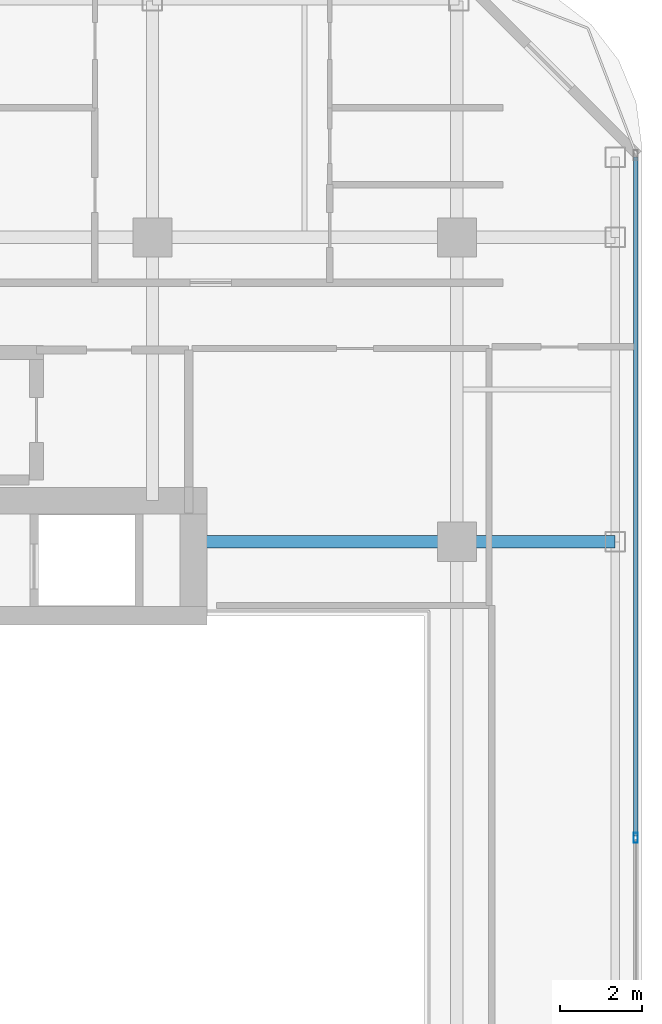
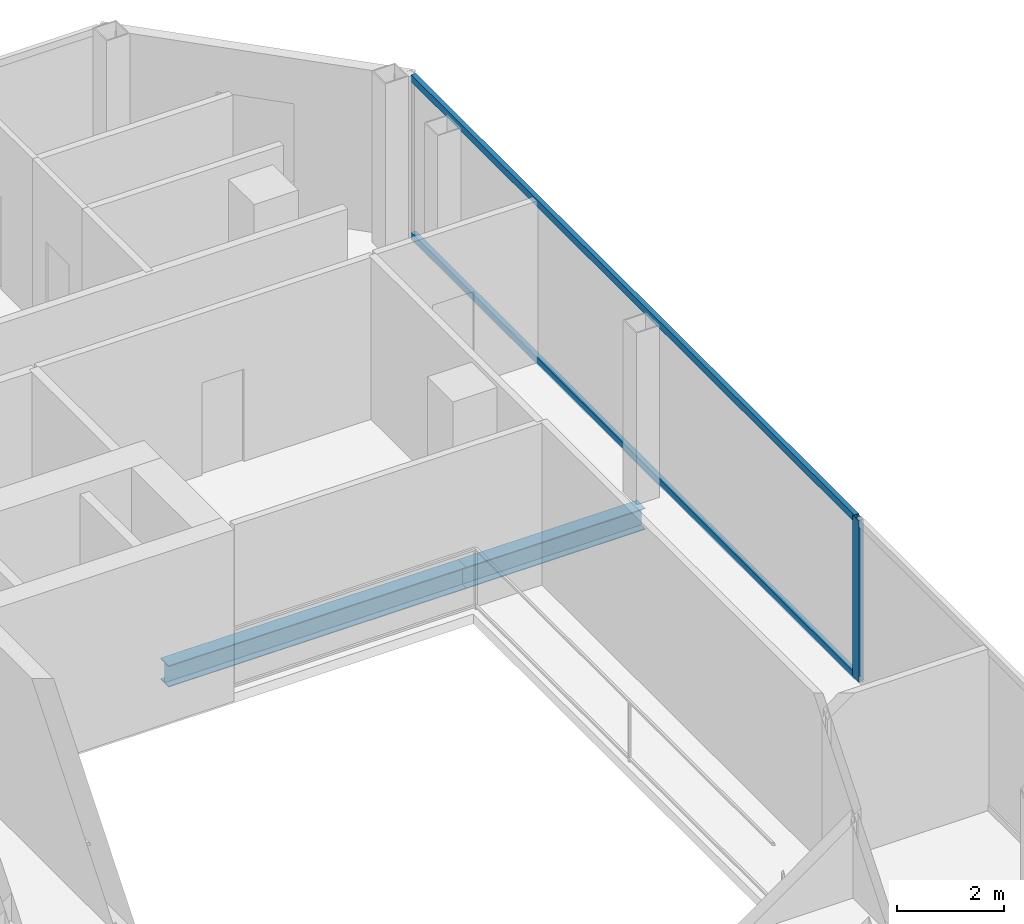
# One storey, part 10 of 23: 3 members, 2 beams, 1 element without a shape of its own.
"""IFC4 building model written with IfcOpenShell, lengths in metres."""

from ifc_helpers import new_model, si_unit, direction, frame, origin, origin_2d, place, context, subcontext, project, spatial, hollow_rectangle, i_section, extrude, material, layer, layer_set, material_profile, profile_set, type_object, element, aggregate, save


model = new_model("IFC4")

# Units and contexts
model_context = context("Model", 3, precision=1e-05, world=origin(), true_north=direction((0.0, 1.0)))
body_context = subcontext(model_context, "Body", "Model", "MODEL_VIEW")
ifc_project = project(units=[si_unit("LENGTHUNIT", "METRE"), si_unit("AREAUNIT", "SQUARE_METRE"), si_unit("VOLUMEUNIT", "CUBIC_METRE"), si_unit("PLANEANGLEUNIT", "RADIAN"), si_unit("MASSUNIT", "GRAM", prefix="KILO")], contexts=[model_context])

# Site, building, storey
site_placement = place(None, origin())
site = spatial("IfcSite", under=ifc_project, at=site_placement, CompositionType="ELEMENT")
building_placement = place(site_placement, origin())
building = spatial("IfcBuilding", under=site, at=building_placement, Name="Khorvyn Point Tower", CompositionType="ELEMENT")
storey_placement = place(building_placement, frame((0.0, 0.0, 297.60009765625)))
storey = spatial("IfcBuildingStorey", under=building, at=storey_placement, Name="L73", CompositionType="ELEMENT", Elevation=297.60009765625)

# Curtain wall, members
ifc_material_1 = material(Name="Anodised aluminium 6063-T6 and laminated Low-E glass", Category="aluminium")
ifc_layer = layer(ifc_material_1, 0.18994140625)
ifc_layer_set = layer_set([ifc_layer], Name="Stick-Built High-Wind Curtain Wall CW-SYS-04")
curtain_wall_type = type_object("IfcCurtainWallType", Name="Stick-Built High-Wind Curtain Wall CW-SYS-04", PredefinedType="NOTDEFINED", material=ifc_layer_set)
curtain_wall_placement = place(storey_placement, origin())
curtain_wall = element("IfcCurtainWall", 1, at=curtain_wall_placement, inside=storey, type_object=curtain_wall_type, Name="Curtain Wall", PredefinedType="NOTDEFINED")
ifc_material_2 = material(Name="Anodised aluminium 6063-T6", Category="aluminium")
ifc_material_profile_1 = material_profile(ifc_material_2, hollow_rectangle(XDim=0.10009765625, YDim=0.239990234375, WallThickness=0.0048828125, at=origin_2d()))
ifc_profile_set_1 = profile_set([ifc_material_profile_1], Name="Anodised aluminium 6063-T6 ALU-MUL-100x240")
member_type_1 = type_object("IfcMemberType", Name="Anodised Aluminium 6063-T6 Mullion ALU-MUL-100x240", PredefinedType="MULLION", material=ifc_profile_set_1)
member_1_placement = place(storey_placement, frame((19.14990234375, 0.199951171875, 0.0), z_axis=(0.0, 0.0, 1.0), x_axis=(1.0, 0.0, 0.0)))
member_1 = element("IfcMember", 2, at=member_1_placement, type_object=member_type_1, Name="Transom", PredefinedType="MULLION", context=body_context, shape_type="SweptSolid", body=[
    extrude(hollow_rectangle(XDim=0.10009765625, YDim=0.239990234375, WallThickness=0.0048828125, at=origin_2d()), origin(), (0.0, 0.0, 1.0), 3.679931640625),
])
ifc_material_profile_2 = material_profile(ifc_material_2, hollow_rectangle(XDim=0.10009765625, YDim=0.159912109375, WallThickness=0.00439453125, at=origin_2d()))
ifc_profile_set_2 = profile_set([ifc_material_profile_2], Name="Anodised aluminium 6063-T6 ALU-TRN-100x160")
member_type_2 = type_object("IfcMemberType", Name="Anodised Aluminium 6063-T6 Transom ALU-TRN-100x160", PredefinedType="USERDEFINED", material=ifc_profile_set_2)
member_2_placement = place(storey_placement, frame((19.14990234375, 16.75, 0.0498046875), z_axis=(0.0, -1.0, 0.0), x_axis=(1.0, 0.0, 0.0)))
member_2 = element("IfcMember", 3, at=member_2_placement, type_object=member_type_2, Name="Transom", ObjectType="TRANSOM", PredefinedType="USERDEFINED", context=body_context, shape_type="SweptSolid", body=[
    extrude(hollow_rectangle(XDim=0.10009765625, YDim=0.159912109375, WallThickness=0.00439453125, at=origin_2d()), origin(), (0.0, 0.0, 1.0), 16.5),
])
member_3_placement = place(storey_placement, frame((19.14990234375, 16.75, 3.6298828125), z_axis=(0.0, -1.0, 0.0), x_axis=(1.0, 0.0, 0.0)))
member_3 = element("IfcMember", 4, at=member_3_placement, type_object=member_type_2, Name="Transom", ObjectType="TRANSOM", PredefinedType="USERDEFINED", context=body_context, shape_type="SweptSolid", body=[
    extrude(hollow_rectangle(XDim=0.10009765625, YDim=0.159912109375, WallThickness=0.00439453125, at=origin_2d()), origin(), (0.0, 0.0, 1.0), 16.5),
])
aggregate(curtain_wall, [member_1, member_2, member_3])

# Beams
ifc_material_3 = material(Name="Steel S355", Category="steel")
ifc_material_profile_3 = material_profile(ifc_material_3, i_section(OverallWidth=0.300048828125, OverallDepth=0.488037109375, WebThickness=0.010986328125, FlangeThickness=0.01806640625, at=origin_2d()))
ifc_profile_set_3 = profile_set([ifc_material_profile_3], Name="Steel S355 H488x300x11x18")
beam_type = type_object("IfcBeamType", Name="Steel S355 Spandrel H488x300x11x18", PredefinedType="SPANDREL", material=ifc_profile_set_3)
beam_1_placement = place(storey_placement, frame((8.39990234375, 7.39990234375, -0.464111328125), z_axis=(1.0, 0.0, 0.0), x_axis=(0.0, 1.0, 0.0)))
element("IfcBeam", 5, at=beam_1_placement, inside=storey, type_object=beam_type, Name="Beam", PredefinedType="SPANDREL", context=body_context, shape_type="SweptSolid", body=[
    extrude(i_section(OverallWidth=0.300048828125, OverallDepth=0.488037109375, WebThickness=0.010986328125, FlangeThickness=0.01806640625, at=origin_2d()), origin(), (0.0, 0.0, 1.0), 6.400146484375),
])
beam_2_placement = place(storey_placement, frame((14.800048828125, 7.39990234375, -0.464111328125), z_axis=(1.0, 0.0, 0.0), x_axis=(0.0, 1.0, 0.0)))
element("IfcBeam", 6, at=beam_2_placement, inside=storey, type_object=beam_type, Name="Beam", PredefinedType="SPANDREL", context=body_context, shape_type="SweptSolid", body=[
    extrude(i_section(OverallWidth=0.300048828125, OverallDepth=0.488037109375, WebThickness=0.010986328125, FlangeThickness=0.01806640625, at=origin_2d()), origin(), (0.0, 0.0, 1.0), 3.849853515625),
])

save(model, "model.ifc")
